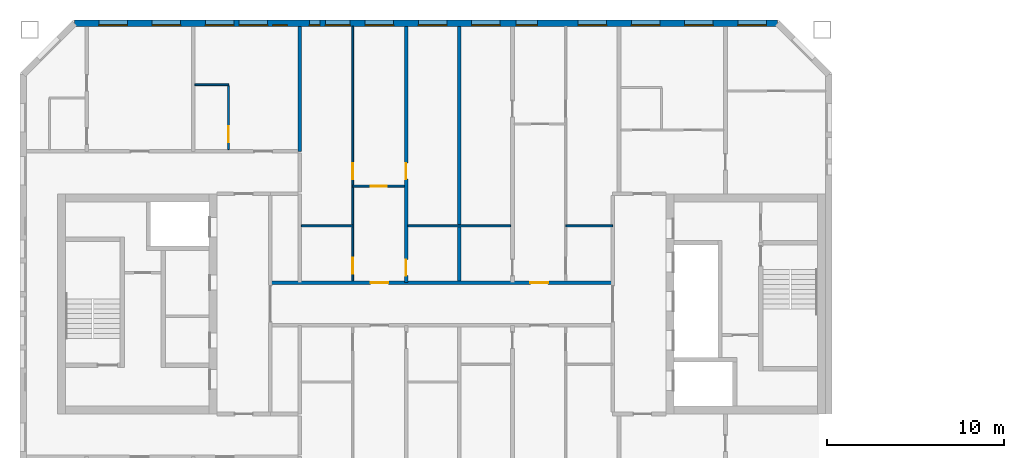
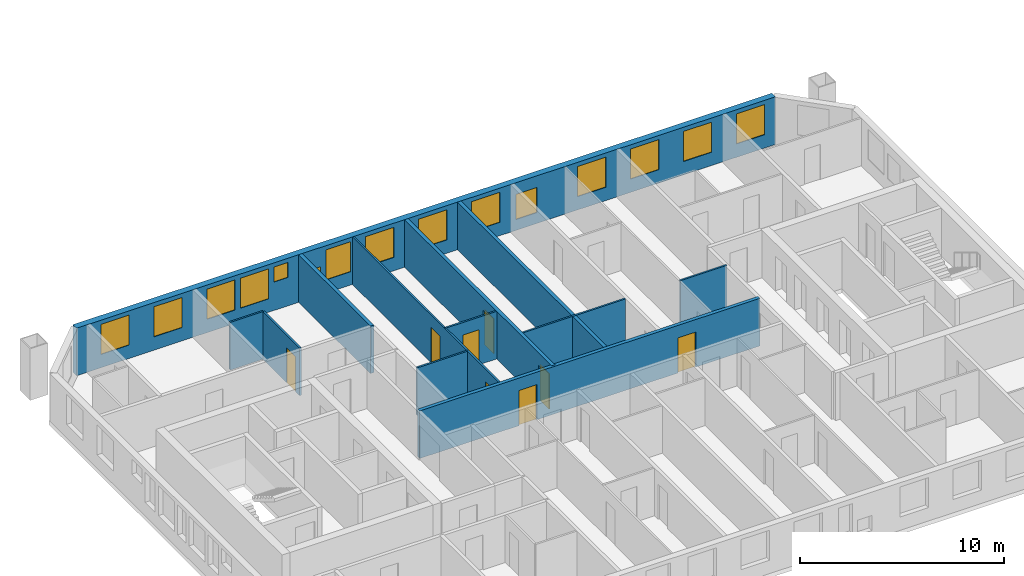
# One storey, part 5 of 15: 15 windows, 12 walls, 8 doors, 23 openings.
"""IFC4 building model written with IfcOpenShell, lengths in metres."""

import ifcopenshell
import ifcopenshell.guid

model = None  # the IFC model being written
_history = None  # IfcOwnerHistory: only IFC2X3 demands one
_inside = {}  # id of a spatial element -> (the spatial element, [elements in it])
_under = {}  # id of a project, library or spatial element -> (it, [spatial elements below it])
_declared = {}  # id of a project -> (the project, [libraries it declares])
_typed = {}  # id of a type object -> (the type object, [elements of that type])
_made_of = {}  # id of a material, layer set ... -> (it, [elements and type objects made of it])


def new_model(schema):
    """Start an empty IFC model of exactly this schema.

    Asked for "IFC4X3", IfcOpenShell would pick the latest addendum, in which some entities
    have other attributes; the version numbers below select the first issue.
    IFC2X3 requires an IfcOwnerHistory on every rooted entity: one is made here for all.
    """
    global model, _history
    if schema == "IFC4X3":
        model = ifcopenshell.file(schema_version=(4, 3, 0, 0))
    else:
        model = ifcopenshell.file(schema=schema)
    _inside.clear()
    _under.clear()
    _declared.clear()
    _typed.clear()
    _made_of.clear()
    _history = None
    if model.schema == "IFC2X3":
        org = make("IfcOrganization", Name="unknown")
        user = make(
            "IfcPersonAndOrganization",
            ThePerson=make("IfcPerson", FamilyName="unknown"),
            TheOrganization=org,
        )
        app = make(
            "IfcApplication",
            ApplicationDeveloper=org,
            Version="unknown",
            ApplicationFullName="unknown",
            ApplicationIdentifier="unknown",
        )
        _history = make(
            "IfcOwnerHistory",
            OwningUser=user,
            OwningApplication=app,
            ChangeAction="ADDED",
            CreationDate=0,
        )
    return model


def make(cls, **values):
    """One entity of the class cls with the attributes given. An attribute that is None is left unset."""
    return model.create_entity(
        cls, **{name: value for name, value in values.items() if value is not None}
    )


def rooted(cls, **values):
    """An entity with a GlobalId (a new one), such as an element, a storey or a relation."""
    return make(cls, GlobalId=ifcopenshell.guid.new(), OwnerHistory=_history, **values)


def si_unit(unit_type, name, prefix=None):
    """IfcSIUnit, for example si_unit("LENGTHUNIT", "METRE", prefix="MILLI")."""
    return make("IfcSIUnit", UnitType=unit_type, Prefix=prefix, Name=name)


def assignment(units):
    """IfcUnitAssignment: the units of a project."""
    return None if units is None else make("IfcUnitAssignment", Units=units)


def point(xyz):
    """IfcCartesianPoint."""
    return None if xyz is None else make("IfcCartesianPoint", Coordinates=xyz)


def direction(xyz):
    """IfcDirection."""
    return None if xyz is None else make("IfcDirection", DirectionRatios=xyz)


def frame(location, z_axis=None, x_axis=None):
    """IfcAxis2Placement3D, a coordinate frame: its origin and axes. An axis left out is left unset."""
    return make(
        "IfcAxis2Placement3D",
        Location=point(location),
        Axis=direction(z_axis),
        RefDirection=direction(x_axis),
    )


def frame_2d(location, x_axis=None):
    """IfcAxis2Placement2D, a coordinate frame in the plane: its origin and x axis."""
    return make(
        "IfcAxis2Placement2D", Location=point(location), RefDirection=direction(x_axis)
    )


def origin():
    """The frame at (0, 0, 0) with its axes left unset."""
    return frame((0.0, 0.0, 0.0))


def place(relative_to, where):
    """IfcLocalPlacement: puts the frame where relative to a parent placement (None: the world)."""
    return make(
        "IfcLocalPlacement", PlacementRelTo=relative_to, RelativePlacement=where
    )


def context(
    kind, dimensions, precision=None, world=None, true_north=None, identifier=None
):
    """IfcGeometricRepresentationContext, for example the 3D "Model" context."""
    return make(
        "IfcGeometricRepresentationContext",
        ContextIdentifier=identifier,
        ContextType=kind,
        CoordinateSpaceDimension=dimensions,
        Precision=precision,
        WorldCoordinateSystem=world,
        TrueNorth=true_north,
    )


def subcontext(parent, identifier, kind, view, scale=None):
    """IfcGeometricRepresentationSubContext, for example "Body" below "Model"."""
    return make(
        "IfcGeometricRepresentationSubContext",
        ContextIdentifier=identifier,
        ContextType=kind,
        ParentContext=parent,
        TargetScale=scale,
        TargetView=view,
    )


def project(units=None, contexts=None):
    """IfcProject with its units and contexts."""
    return rooted(
        "IfcProject",
        Name="project",
        RepresentationContexts=contexts,
        UnitsInContext=assignment(units),
    )


def spatial(cls, under=None, at=None, **own):
    """A site, building, storey or space (cls), placed at a placement, below another one or the project."""
    s = rooted(cls, ObjectPlacement=at, **own)
    if under is not None:
        _under.setdefault(under.id(), (under, []))[1].append(s)
    return s


def profile(cls, at=None, kind="AREA", **sizes):
    """A parametric profile (cls). Its sizes go by their IFC names, for example OverallWidth=200.0."""
    return make(cls, ProfileType=kind, Position=at, **sizes)


def rectangle(**sizes):
    """IfcRectangleProfileDef."""
    return profile("IfcRectangleProfileDef", **sizes)


def extrude(swept, where, along, depth):
    """IfcExtrudedAreaSolid: the profile swept, set in the frame where, extruded along a direction by depth."""
    return make(
        "IfcExtrudedAreaSolid",
        SweptArea=swept,
        Position=where,
        ExtrudedDirection=direction(along),
        Depth=depth,
    )


def shape(context_of_items, identifier, shape_type, items):
    """IfcShapeRepresentation: the items that make up one representation, for example the "Body"."""
    return make(
        "IfcShapeRepresentation",
        ContextOfItems=context_of_items,
        RepresentationIdentifier=identifier,
        RepresentationType=shape_type,
        Items=items,
    )


def material(Name=None, Category=None):
    """IfcMaterial."""
    return make("IfcMaterial", Name=Name, Category=Category)


def layer(
    of_material, thickness, ventilated=None, Name=None, Category=None, Priority=None
):
    """IfcMaterialLayer: one layer of a wall or slab, of a material (None: an air gap)."""
    return make(
        "IfcMaterialLayer",
        Material=of_material,
        LayerThickness=thickness,
        IsVentilated=ventilated,
        Name=Name,
        Category=Category,
        Priority=Priority,
    )


def layer_set(layers, Name=None):
    """IfcMaterialLayerSet."""
    return make("IfcMaterialLayerSet", MaterialLayers=layers, LayerSetName=Name)


def made_of(thing, what):
    """Note that an element or type object is made of a material, layer set ...; save() writes the relation."""
    if what is not None:
        _made_of.setdefault(what.id(), (what, []))[1].append(thing)
    return thing


def type_object(cls, material=None, **own):
    """A type object (cls), such as IfcWallType, which elements share."""
    return made_of(rooted(cls, **own), material)


def element(
    cls,
    number,
    at=None,
    inside=None,
    cuts=None,
    type_object=None,
    material=None,
    context=None,
    identifier="Body",
    shape_type=None,
    held_by="IfcProductDefinitionShape",
    body=None,
    shapes=None,
    **own,
):
    """One element of the class cls, such as IfcWall. Its Tag is "e" and its number.

    at: its placement. inside: the storey or other place that contains it. cuts: it is an
    opening in that element (IfcRelVoidsElement). A single representation is given by context,
    identifier, shape_type and body (its items); several are given by shapes. held_by: the class
    of the entity that holds the representations. save() writes the other relations.
    """
    e = rooted(cls, Tag="e%d" % number, ObjectPlacement=at, **own)
    if body is not None:
        shapes = [shape(context, identifier, shape_type, body)]
    if shapes is not None:
        e.Representation = make(held_by, Representations=shapes)
    if inside is not None:
        _inside.setdefault(inside.id(), (inside, []))[1].append(e)
    if cuts is not None:
        rooted(
            "IfcRelVoidsElement", RelatingBuildingElement=cuts, RelatedOpeningElement=e
        )
    if type_object is not None:
        _typed.setdefault(type_object.id(), (type_object, []))[1].append(e)
    return made_of(e, material)


def fill(opening, filler):
    """IfcRelFillsElement: the door or window that sits in an opening."""
    return rooted(
        "IfcRelFillsElement",
        RelatingOpeningElement=opening,
        RelatedBuildingElement=filler,
    )


def aggregate(whole, parts):
    """IfcRelAggregates: a whole, such as a stair, and the parts it consists of."""
    return rooted("IfcRelAggregates", RelatingObject=whole, RelatedObjects=parts)


def save(model, path):
    """Write the relations noted so far, then the file.

    IfcRelAggregates (storeys below a building ...), IfcRelContainedInSpatialStructure (elements
    in a storey), IfcRelDefinesByType, IfcRelAssociatesMaterial and IfcRelDeclares: one each for
    every whole, place, type object, material and project.
    """
    for whole, parts in _under.values():
        aggregate(whole, parts)
    for where, things in _inside.values():
        rooted(
            "IfcRelContainedInSpatialStructure",
            RelatedElements=things,
            RelatingStructure=where,
        )
    for kind, things in _typed.values():
        rooted("IfcRelDefinesByType", RelatedObjects=things, RelatingType=kind)
    for what, things in _made_of.values():
        rooted("IfcRelAssociatesMaterial", RelatedObjects=things, RelatingMaterial=what)
    for by, libraries in _declared.values():
        rooted("IfcRelDeclares", RelatingContext=by, RelatedDefinitions=libraries)
    model.write(path)


model = new_model("IFC4")

# Units and contexts
model_context = context("Model", 3, precision=1e-05, world=origin(), true_north=direction((0.0, 1.0)))
body_context = subcontext(model_context, "Body", "Model", "MODEL_VIEW")
ifc_project = project(units=[si_unit("LENGTHUNIT", "METRE"), si_unit("AREAUNIT", "SQUARE_METRE"), si_unit("VOLUMEUNIT", "CUBIC_METRE"), si_unit("PLANEANGLEUNIT", "RADIAN"), si_unit("MASSUNIT", "GRAM", prefix="KILO")], contexts=[model_context])

# Site, building, storey
site_placement = place(None, origin())
site = spatial("IfcSite", under=ifc_project, at=site_placement, CompositionType="ELEMENT")
building_placement = place(site_placement, origin())
building = spatial("IfcBuilding", under=site, at=building_placement, Name="Tuart Gate Housing", CompositionType="ELEMENT")
storey_placement = place(building_placement, frame((0.0, 0.0, 185.10009765625)))
storey = spatial("IfcBuildingStorey", under=building, at=storey_placement, Name="L52", CompositionType="ELEMENT", Elevation=185.10009765625)

# Wall, openings, windows
ifc_material_1 = material(Name="Brick", Category="masonry")
ifc_layer_1 = layer(ifc_material_1, 0.360107421875)
ifc_layer_set_1 = layer_set([ifc_layer_1], Name="Brick pier and spandrel wall 360")
wall_type_1 = type_object("IfcWallType", Name="Brick pier and spandrel wall 360", PredefinedType="STANDARD", material=ifc_layer_set_1)
wall_1_placement = place(storey_placement, frame((72.92529296875, 85.820068359375, 0.0), z_axis=(0.0, 0.0, 1.0), x_axis=(-1.0, 0.0, 0.0)))
wall_1 = element("IfcWall", 1, at=wall_1_placement, inside=storey, type_object=wall_type_1, Name="External wall A-N L52", PredefinedType="STANDARD", context=body_context, shape_type="SweptSolid", body=[
    extrude(rectangle(XDim=39.600830078125, YDim=0.360107421875, at=frame_2d((19.80029296875, 0.0))), origin(), (0.0, 0.0, 1.0), 2.849853515625),
])
opening_1_placement = place(wall_1_placement, frame((0.62548828125, 0.0, 0.800048828125)))
opening_1 = element("IfcOpeningElement", 2, at=opening_1_placement, cuts=wall_1, Name="Opening W1", PredefinedType="OPENING", context=body_context, shape_type="SweptSolid", body=[
    extrude(rectangle(XDim=1.60009765625, YDim=1.800048828125, at=frame_2d((0.800048828125, 0.89990234375))), frame((0.0, 0.18994140625, 0.0), z_axis=(0.0, -1.0, 0.0), x_axis=(1.0, 0.0, 0.0)), (0.0, 0.0, 1.0), 0.380126953125),
])
opening_2_placement = place(wall_1_placement, frame((3.62548828125, 0.0, 0.800048828125)))
opening_2 = element("IfcOpeningElement", 3, at=opening_2_placement, cuts=wall_1, Name="Opening W1", PredefinedType="OPENING", context=body_context, shape_type="SweptSolid", body=[
    extrude(rectangle(XDim=1.60009765625, YDim=1.800048828125, at=frame_2d((0.800048828125, 0.89990234375))), frame((0.0, 0.18994140625, 0.0), z_axis=(0.0, -1.0, 0.0), x_axis=(1.0, 0.0, 0.0)), (0.0, 0.0, 1.0), 0.380126953125),
])
opening_3_placement = place(wall_1_placement, frame((6.62548828125, 0.0, 0.800048828125)))
opening_3 = element("IfcOpeningElement", 4, at=opening_3_placement, cuts=wall_1, Name="Opening W1", PredefinedType="OPENING", context=body_context, shape_type="SweptSolid", body=[
    extrude(rectangle(XDim=1.60009765625, YDim=1.800048828125, at=frame_2d((0.800048828125, 0.89990234375))), frame((0.0, 0.18994140625, 0.0), z_axis=(0.0, -1.0, 0.0), x_axis=(1.0, 0.0, 0.0)), (0.0, 0.0, 1.0), 0.380126953125),
])
opening_4_placement = place(wall_1_placement, frame((9.62548828125, 0.0, 0.800048828125)))
opening_4 = element("IfcOpeningElement", 5, at=opening_4_placement, cuts=wall_1, Name="Opening W1", PredefinedType="OPENING", context=body_context, shape_type="SweptSolid", body=[
    extrude(rectangle(XDim=1.60009765625, YDim=1.800048828125, at=frame_2d((0.800048828125, 0.89990234375))), frame((0.0, 0.18994140625, 0.0), z_axis=(0.0, -1.0, 0.0), x_axis=(1.0, 0.0, 0.0)), (0.0, 0.0, 1.0), 0.380126953125),
])
opening_5_placement = place(wall_1_placement, frame((13.525390625, 0.0, 0.64990234375)))
opening_5 = element("IfcOpeningElement", 6, at=opening_5_placement, cuts=wall_1, Name="Opening W1H", PredefinedType="OPENING", context=body_context, shape_type="SweptSolid", body=[
    extrude(rectangle(XDim=1.199951171875, YDim=1.5, at=frame_2d((0.60009765625, 0.75))), frame((0.0, 0.18994140625, 0.0), z_axis=(0.0, -1.0, 0.0), x_axis=(1.0, 0.0, 0.0)), (0.0, 0.0, 1.0), 0.380126953125),
])
opening_6_placement = place(wall_1_placement, frame((15.62548828125, 0.0, 0.800048828125)))
opening_6 = element("IfcOpeningElement", 7, at=opening_6_placement, cuts=wall_1, Name="Opening W1", PredefinedType="OPENING", context=body_context, shape_type="SweptSolid", body=[
    extrude(rectangle(XDim=1.60009765625, YDim=1.800048828125, at=frame_2d((0.800048828125, 0.89990234375))), frame((0.0, 0.18994140625, 0.0), z_axis=(0.0, -1.0, 0.0), x_axis=(1.0, 0.0, 0.0)), (0.0, 0.0, 1.0), 0.380126953125),
])
opening_7_placement = place(wall_1_placement, frame((18.62548828125, 0.0, 0.800048828125)))
opening_7 = element("IfcOpeningElement", 8, at=opening_7_placement, cuts=wall_1, Name="Opening W1", PredefinedType="OPENING", context=body_context, shape_type="SweptSolid", body=[
    extrude(rectangle(XDim=1.60009765625, YDim=1.800048828125, at=frame_2d((0.800048828125, 0.89990234375))), frame((0.0, 0.18994140625, 0.0), z_axis=(0.0, -1.0, 0.0), x_axis=(1.0, 0.0, 0.0)), (0.0, 0.0, 1.0), 0.380126953125),
])
opening_8_placement = place(wall_1_placement, frame((21.62548828125, 0.0, 0.800048828125)))
opening_8 = element("IfcOpeningElement", 9, at=opening_8_placement, cuts=wall_1, Name="Opening W1", PredefinedType="OPENING", context=body_context, shape_type="SweptSolid", body=[
    extrude(rectangle(XDim=1.60009765625, YDim=1.800048828125, at=frame_2d((0.800048828125, 0.89990234375))), frame((0.0, 0.18994140625, 0.0), z_axis=(0.0, -1.0, 0.0), x_axis=(1.0, 0.0, 0.0)), (0.0, 0.0, 1.0), 0.380126953125),
])
opening_9_placement = place(wall_1_placement, frame((24.075439453125, 0.0, 0.800048828125)))
opening_9 = element("IfcOpeningElement", 10, at=opening_9_placement, cuts=wall_1, Name="Opening W1A", PredefinedType="OPENING", context=body_context, shape_type="SweptSolid", body=[
    extrude(rectangle(XDim=1.39990234375, YDim=1.800048828125, at=frame_2d((0.699951171875, 0.89990234375))), frame((0.0, 0.18994140625, 0.0), z_axis=(0.0, -1.0, 0.0), x_axis=(1.0, 0.0, 0.0)), (0.0, 0.0, 1.0), 0.380126953125),
])
opening_10_placement = place(wall_1_placement, frame((27.62548828125, 0.0, 1.699951171875)))
opening_10 = element("IfcOpeningElement", 11, at=opening_10_placement, cuts=wall_1, Name="Opening W1V", PredefinedType="OPENING", context=body_context, shape_type="SweptSolid", body=[
    extrude(rectangle(XDim=0.800048828125, YDim=0.89990234375, at=frame_2d((0.39990234375, 0.449951171875))), frame((0.0, 0.18994140625, 0.0), z_axis=(0.0, -1.0, 0.0), x_axis=(1.0, 0.0, 0.0)), (0.0, 0.0, 1.0), 0.380126953125),
])
opening_11_placement = place(wall_1_placement, frame((30.62548828125, 0.0, 0.800048828125)))
opening_11 = element("IfcOpeningElement", 12, at=opening_11_placement, cuts=wall_1, Name="Opening W1", PredefinedType="OPENING", context=body_context, shape_type="SweptSolid", body=[
    extrude(rectangle(XDim=1.60009765625, YDim=1.800048828125, at=frame_2d((0.800048828125, 0.89990234375))), frame((0.0, 0.18994140625, 0.0), z_axis=(0.0, -1.0, 0.0), x_axis=(1.0, 0.0, 0.0)), (0.0, 0.0, 1.0), 0.380126953125),
])
opening_12_placement = place(wall_1_placement, frame((33.62548828125, 0.0, 0.800048828125)))
opening_12 = element("IfcOpeningElement", 13, at=opening_12_placement, cuts=wall_1, Name="Opening W1", PredefinedType="OPENING", context=body_context, shape_type="SweptSolid", body=[
    extrude(rectangle(XDim=1.60009765625, YDim=1.800048828125, at=frame_2d((0.800048828125, 0.89990234375))), frame((0.0, 0.18994140625, 0.0), z_axis=(0.0, -1.0, 0.0), x_axis=(1.0, 0.0, 0.0)), (0.0, 0.0, 1.0), 0.380126953125),
])
opening_13_placement = place(wall_1_placement, frame((36.62548828125, 0.0, 0.800048828125)))
opening_13 = element("IfcOpeningElement", 14, at=opening_13_placement, cuts=wall_1, Name="Opening W1", PredefinedType="OPENING", context=body_context, shape_type="SweptSolid", body=[
    extrude(rectangle(XDim=1.60009765625, YDim=1.800048828125, at=frame_2d((0.800048828125, 0.89990234375))), frame((0.0, 0.18994140625, 0.0), z_axis=(0.0, -1.0, 0.0), x_axis=(1.0, 0.0, 0.0)), (0.0, 0.0, 1.0), 0.380126953125),
])
opening_14_placement = place(wall_1_placement, frame((25.775390625, 0.0, 0.800048828125)))
opening_14 = element("IfcOpeningElement", 15, at=opening_14_placement, cuts=wall_1, Name="Opening W1W", PredefinedType="OPENING", context=body_context, shape_type="SweptSolid", body=[
    extrude(rectangle(XDim=0.60009765625, YDim=0.89990234375, at=frame_2d((0.300048828125, 0.449951171875))), frame((0.0, 0.18994140625, 0.0), z_axis=(0.0, -1.0, 0.0), x_axis=(1.0, 0.0, 0.0)), (0.0, 0.0, 1.0), 0.380126953125),
])
opening_15_placement = place(wall_1_placement, frame((28.725341796875, 0.0, 0.800048828125)))
opening_15 = element("IfcOpeningElement", 16, at=opening_15_placement, cuts=wall_1, Name="Opening W1", PredefinedType="OPENING", context=body_context, shape_type="SweptSolid", body=[
    extrude(rectangle(XDim=1.60009765625, YDim=1.800048828125, at=frame_2d((0.800048828125, 0.89990234375))), frame((0.0, 0.18994140625, 0.0), z_axis=(0.0, -1.0, 0.0), x_axis=(1.0, 0.0, 0.0)), (0.0, 0.0, 1.0), 0.380126953125),
])
ifc_material_2 = material(Name="Aluminium frame with clear glass", Category="aluminium")
window_type_1 = type_object("IfcWindowType", Name="Punched window 1200 x 1500", PartitioningType="SINGLE_PANEL", PredefinedType="WINDOW", material=ifc_material_2)
window_1_placement = place(opening_5_placement, origin())
window_1 = element("IfcWindow", 17, at=window_1_placement, inside=storey, type_object=window_type_1, Name="Window W1H", OverallHeight=1.5, OverallWidth=1.199951171875, PartitioningType="SINGLE_PANEL", PredefinedType="WINDOW", context=body_context, shape_type="SweptSolid", body=[
    extrude(rectangle(XDim=1.199951171875, YDim=1.5, at=frame_2d((0.60009765625, 0.75))), frame((0.0, 0.150146484375, 0.0), z_axis=(0.0, -1.0, 0.0), x_axis=(1.0, 0.0, 0.0)), (0.0, 0.0, 1.0), 0.06005859375),
])
fill(opening_5, window_1)
ifc_material_3 = material(Name="Aluminium frame with clear glass", Category="aluminium")
window_type_2 = type_object("IfcWindowType", Name="Punched window 1400 x 1800", PartitioningType="SINGLE_PANEL", PredefinedType="WINDOW", material=ifc_material_3)
window_2_placement = place(opening_9_placement, origin())
window_2 = element("IfcWindow", 18, at=window_2_placement, inside=storey, type_object=window_type_2, Name="Window W1A", OverallHeight=1.800048828125, OverallWidth=1.39990234375, PartitioningType="SINGLE_PANEL", PredefinedType="WINDOW", context=body_context, shape_type="SweptSolid", body=[
    extrude(rectangle(XDim=1.39990234375, YDim=1.800048828125, at=frame_2d((0.699951171875, 0.89990234375))), frame((0.0, 0.150146484375, 0.0), z_axis=(0.0, -1.0, 0.0), x_axis=(1.0, 0.0, 0.0)), (0.0, 0.0, 1.0), 0.06005859375),
])
fill(opening_9, window_2)
ifc_material_4 = material(Name="Aluminium frame with clear glass", Category="aluminium")
window_type_3 = type_object("IfcWindowType", Name="Punched window 1600 x 1800", PartitioningType="SINGLE_PANEL", PredefinedType="WINDOW", material=ifc_material_4)
window_3_placement = place(opening_1_placement, origin())
window_3 = element("IfcWindow", 19, at=window_3_placement, inside=storey, type_object=window_type_3, Name="Window W1", OverallHeight=1.800048828125, OverallWidth=1.60009765625, PartitioningType="SINGLE_PANEL", PredefinedType="WINDOW", context=body_context, shape_type="SweptSolid", body=[
    extrude(rectangle(XDim=1.60009765625, YDim=1.800048828125, at=frame_2d((0.800048828125, 0.89990234375))), frame((0.0, 0.150146484375, 0.0), z_axis=(0.0, -1.0, 0.0), x_axis=(1.0, 0.0, 0.0)), (0.0, 0.0, 1.0), 0.06005859375),
])
fill(opening_1, window_3)
window_4_placement = place(opening_2_placement, origin())
window_4 = element("IfcWindow", 20, at=window_4_placement, inside=storey, type_object=window_type_3, Name="Window W1", OverallHeight=1.800048828125, OverallWidth=1.60009765625, PartitioningType="SINGLE_PANEL", PredefinedType="WINDOW", context=body_context, shape_type="SweptSolid", body=[
    extrude(rectangle(XDim=1.60009765625, YDim=1.800048828125, at=frame_2d((0.800048828125, 0.89990234375))), frame((0.0, 0.150146484375, 0.0), z_axis=(0.0, -1.0, 0.0), x_axis=(1.0, 0.0, 0.0)), (0.0, 0.0, 1.0), 0.06005859375),
])
fill(opening_2, window_4)
window_5_placement = place(opening_3_placement, origin())
window_5 = element("IfcWindow", 21, at=window_5_placement, inside=storey, type_object=window_type_3, Name="Window W1", OverallHeight=1.800048828125, OverallWidth=1.60009765625, PartitioningType="SINGLE_PANEL", PredefinedType="WINDOW", context=body_context, shape_type="SweptSolid", body=[
    extrude(rectangle(XDim=1.60009765625, YDim=1.800048828125, at=frame_2d((0.800048828125, 0.89990234375))), frame((0.0, 0.150146484375, 0.0), z_axis=(0.0, -1.0, 0.0), x_axis=(1.0, 0.0, 0.0)), (0.0, 0.0, 1.0), 0.06005859375),
])
fill(opening_3, window_5)
window_6_placement = place(opening_4_placement, origin())
window_6 = element("IfcWindow", 22, at=window_6_placement, inside=storey, type_object=window_type_3, Name="Window W1", OverallHeight=1.800048828125, OverallWidth=1.60009765625, PartitioningType="SINGLE_PANEL", PredefinedType="WINDOW", context=body_context, shape_type="SweptSolid", body=[
    extrude(rectangle(XDim=1.60009765625, YDim=1.800048828125, at=frame_2d((0.800048828125, 0.89990234375))), frame((0.0, 0.150146484375, 0.0), z_axis=(0.0, -1.0, 0.0), x_axis=(1.0, 0.0, 0.0)), (0.0, 0.0, 1.0), 0.06005859375),
])
fill(opening_4, window_6)
window_7_placement = place(opening_6_placement, origin())
window_7 = element("IfcWindow", 23, at=window_7_placement, inside=storey, type_object=window_type_3, Name="Window W1", OverallHeight=1.800048828125, OverallWidth=1.60009765625, PartitioningType="SINGLE_PANEL", PredefinedType="WINDOW", context=body_context, shape_type="SweptSolid", body=[
    extrude(rectangle(XDim=1.60009765625, YDim=1.800048828125, at=frame_2d((0.800048828125, 0.89990234375))), frame((0.0, 0.150146484375, 0.0), z_axis=(0.0, -1.0, 0.0), x_axis=(1.0, 0.0, 0.0)), (0.0, 0.0, 1.0), 0.06005859375),
])
fill(opening_6, window_7)
window_8_placement = place(opening_7_placement, origin())
window_8 = element("IfcWindow", 24, at=window_8_placement, inside=storey, type_object=window_type_3, Name="Window W1", OverallHeight=1.800048828125, OverallWidth=1.60009765625, PartitioningType="SINGLE_PANEL", PredefinedType="WINDOW", context=body_context, shape_type="SweptSolid", body=[
    extrude(rectangle(XDim=1.60009765625, YDim=1.800048828125, at=frame_2d((0.800048828125, 0.89990234375))), frame((0.0, 0.150146484375, 0.0), z_axis=(0.0, -1.0, 0.0), x_axis=(1.0, 0.0, 0.0)), (0.0, 0.0, 1.0), 0.06005859375),
])
fill(opening_7, window_8)
window_9_placement = place(opening_8_placement, origin())
window_9 = element("IfcWindow", 25, at=window_9_placement, inside=storey, type_object=window_type_3, Name="Window W1", OverallHeight=1.800048828125, OverallWidth=1.60009765625, PartitioningType="SINGLE_PANEL", PredefinedType="WINDOW", context=body_context, shape_type="SweptSolid", body=[
    extrude(rectangle(XDim=1.60009765625, YDim=1.800048828125, at=frame_2d((0.800048828125, 0.89990234375))), frame((0.0, 0.150146484375, 0.0), z_axis=(0.0, -1.0, 0.0), x_axis=(1.0, 0.0, 0.0)), (0.0, 0.0, 1.0), 0.06005859375),
])
fill(opening_8, window_9)
window_10_placement = place(opening_11_placement, origin())
window_10 = element("IfcWindow", 26, at=window_10_placement, inside=storey, type_object=window_type_3, Name="Window W1", OverallHeight=1.800048828125, OverallWidth=1.60009765625, PartitioningType="SINGLE_PANEL", PredefinedType="WINDOW", context=body_context, shape_type="SweptSolid", body=[
    extrude(rectangle(XDim=1.60009765625, YDim=1.800048828125, at=frame_2d((0.800048828125, 0.89990234375))), frame((0.0, 0.150146484375, 0.0), z_axis=(0.0, -1.0, 0.0), x_axis=(1.0, 0.0, 0.0)), (0.0, 0.0, 1.0), 0.06005859375),
])
fill(opening_11, window_10)
window_11_placement = place(opening_12_placement, origin())
window_11 = element("IfcWindow", 27, at=window_11_placement, inside=storey, type_object=window_type_3, Name="Window W1", OverallHeight=1.800048828125, OverallWidth=1.60009765625, PartitioningType="SINGLE_PANEL", PredefinedType="WINDOW", context=body_context, shape_type="SweptSolid", body=[
    extrude(rectangle(XDim=1.60009765625, YDim=1.800048828125, at=frame_2d((0.800048828125, 0.89990234375))), frame((0.0, 0.150146484375, 0.0), z_axis=(0.0, -1.0, 0.0), x_axis=(1.0, 0.0, 0.0)), (0.0, 0.0, 1.0), 0.06005859375),
])
fill(opening_12, window_11)
window_12_placement = place(opening_13_placement, origin())
window_12 = element("IfcWindow", 28, at=window_12_placement, inside=storey, type_object=window_type_3, Name="Window W1", OverallHeight=1.800048828125, OverallWidth=1.60009765625, PartitioningType="SINGLE_PANEL", PredefinedType="WINDOW", context=body_context, shape_type="SweptSolid", body=[
    extrude(rectangle(XDim=1.60009765625, YDim=1.800048828125, at=frame_2d((0.800048828125, 0.89990234375))), frame((0.0, 0.150146484375, 0.0), z_axis=(0.0, -1.0, 0.0), x_axis=(1.0, 0.0, 0.0)), (0.0, 0.0, 1.0), 0.06005859375),
])
fill(opening_13, window_12)
window_13_placement = place(opening_15_placement, origin())
window_13 = element("IfcWindow", 29, at=window_13_placement, inside=storey, type_object=window_type_3, Name="Window W1", OverallHeight=1.800048828125, OverallWidth=1.60009765625, PartitioningType="SINGLE_PANEL", PredefinedType="WINDOW", context=body_context, shape_type="SweptSolid", body=[
    extrude(rectangle(XDim=1.60009765625, YDim=1.800048828125, at=frame_2d((0.800048828125, 0.89990234375))), frame((0.0, 0.150146484375, 0.0), z_axis=(0.0, -1.0, 0.0), x_axis=(1.0, 0.0, 0.0)), (0.0, 0.0, 1.0), 0.06005859375),
])
fill(opening_15, window_13)
ifc_material_5 = material(Name="Aluminium frame with clear glass", Category="aluminium")
window_type_4 = type_object("IfcWindowType", Name="Punched window 600 x 900", PartitioningType="SINGLE_PANEL", PredefinedType="WINDOW", material=ifc_material_5)
window_14_placement = place(opening_14_placement, origin())
window_14 = element("IfcWindow", 30, at=window_14_placement, inside=storey, type_object=window_type_4, Name="Window W1W", OverallHeight=0.89990234375, OverallWidth=0.60009765625, PartitioningType="SINGLE_PANEL", PredefinedType="WINDOW", context=body_context, shape_type="SweptSolid", body=[
    extrude(rectangle(XDim=0.60009765625, YDim=0.89990234375, at=frame_2d((0.300048828125, 0.449951171875))), frame((0.0, 0.150146484375, 0.0), z_axis=(0.0, -1.0, 0.0), x_axis=(1.0, 0.0, 0.0)), (0.0, 0.0, 1.0), 0.06005859375),
])
fill(opening_14, window_14)
ifc_material_6 = material(Name="Aluminium frame with clear glass", Category="aluminium")
window_type_5 = type_object("IfcWindowType", Name="Punched window 800 x 900", PartitioningType="SINGLE_PANEL", PredefinedType="WINDOW", material=ifc_material_6)
window_15_placement = place(opening_10_placement, origin())
window_15 = element("IfcWindow", 31, at=window_15_placement, inside=storey, type_object=window_type_5, Name="Window W1V", OverallHeight=0.89990234375, OverallWidth=0.800048828125, PartitioningType="SINGLE_PANEL", PredefinedType="WINDOW", context=body_context, shape_type="SweptSolid", body=[
    extrude(rectangle(XDim=0.800048828125, YDim=0.89990234375, at=frame_2d((0.39990234375, 0.449951171875))), frame((0.0, 0.150146484375, 0.0), z_axis=(0.0, -1.0, 0.0), x_axis=(1.0, 0.0, 0.0)), (0.0, 0.0, 1.0), 0.06005859375),
])
fill(opening_10, window_15)

# Wall, openings, doors
ifc_material_7 = material(Name="Concrete masonry 15 MPa", Category="masonry")
ifc_layer_2 = layer(ifc_material_7, 0.199951171875)
ifc_layer_set_2 = layer_set([ifc_layer_2], Name="Corridor wall masonry 200")
wall_type_2 = type_object("IfcWallType", Name="Corridor wall masonry 200", PredefinedType="PARTITIONING", material=ifc_layer_set_2)
wall_2_placement = place(storey_placement, frame((44.360107421875, 71.199951171875, 0.0), z_axis=(0.0, 0.0, 1.0), x_axis=(1.0, 0.0, 0.0)))
wall_2 = element("IfcWall", 32, at=wall_2_placement, inside=storey, type_object=wall_type_2, Name="Corridor wall masonry 200", PredefinedType="PARTITIONING", context=body_context, shape_type="SweptSolid", body=[
    extrude(rectangle(XDim=19.27978515625, YDim=0.199951171875, at=frame_2d((9.639892578125, 0.0))), origin(), (0.0, 0.0, 1.0), 2.849853515625),
])
opening_16_placement = place(wall_2_placement, frame((14.639892578125, 0.0, 0.0)))
opening_16 = element("IfcOpeningElement", 33, at=opening_16_placement, cuts=wall_2, Name="Opening D1863", PredefinedType="OPENING", context=body_context, shape_type="SweptSolid", body=[
    extrude(rectangle(XDim=1.0, YDim=2.10009765625, at=frame_2d((0.5, 1.050048828125))), frame((0.0, 0.10986328125, 0.0), z_axis=(0.0, -1.0, 0.0), x_axis=(1.0, 0.0, 0.0)), (0.0, 0.0, 1.0), 0.219970703125),
])
opening_17_placement = place(wall_2_placement, frame((5.639892578125, 0.0, 0.0)))
opening_17 = element("IfcOpeningElement", 34, at=opening_17_placement, cuts=wall_2, Name="Opening D1864", PredefinedType="OPENING", context=body_context, shape_type="SweptSolid", body=[
    extrude(rectangle(XDim=1.0, YDim=2.10009765625, at=frame_2d((0.5, 1.050048828125))), frame((0.0, 0.10986328125, 0.0), z_axis=(0.0, -1.0, 0.0), x_axis=(1.0, 0.0, 0.0)), (0.0, 0.0, 1.0), 0.219970703125),
])
ifc_material_8 = material(Name="Timber door leaf in steel frame", Category="steel")
door_type_1 = type_object("IfcDoorType", Name="Flat entrance door 1000", OperationType="SINGLE_SWING_LEFT", PredefinedType="DOOR", material=ifc_material_8)
door_1_placement = place(opening_16_placement, origin())
door_1 = element("IfcDoor", 35, at=door_1_placement, inside=storey, type_object=door_type_1, Name="Flat entrance door", OperationType="SINGLE_SWING_LEFT", OverallHeight=2.10009765625, OverallWidth=1.0, PredefinedType="DOOR", context=body_context, shape_type="SweptSolid", body=[
    extrude(rectangle(XDim=1.0, YDim=2.10009765625, at=frame_2d((0.5, 1.050048828125))), frame((0.0, 0.02490234375, 0.0), z_axis=(0.0, -1.0, 0.0), x_axis=(1.0, 0.0, 0.0)), (0.0, 0.0, 1.0), 0.050048828125),
])
fill(opening_16, door_1)
door_2_placement = place(opening_17_placement, origin())
door_2 = element("IfcDoor", 36, at=door_2_placement, inside=storey, type_object=door_type_1, Name="Flat entrance door", OperationType="SINGLE_SWING_LEFT", OverallHeight=2.10009765625, OverallWidth=1.0, PredefinedType="DOOR", context=body_context, shape_type="SweptSolid", body=[
    extrude(rectangle(XDim=1.0, YDim=2.10009765625, at=frame_2d((0.5, 1.050048828125))), frame((0.0, 0.02490234375, 0.0), z_axis=(0.0, -1.0, 0.0), x_axis=(1.0, 0.0, 0.0)), (0.0, 0.0, 1.0), 0.050048828125),
])
fill(opening_17, door_2)

# Walls
ifc_material_9 = material(Name="Gypsum board on steel studs", Category="steel")
ifc_layer_3 = layer(ifc_material_9, 0.10009765625)
ifc_layer_set_3 = layer_set([ifc_layer_3], Name="Partition 100")
wall_type_3 = type_object("IfcWallType", Name="Partition 100", PredefinedType="PARTITIONING", material=ifc_layer_set_3)
wall_3_placement = place(storey_placement, frame((46.10009765625, 74.39990234375, 0.0), z_axis=(0.0, 0.0, 1.0), x_axis=(1.0, 0.0, 0.0)))
element("IfcWall", 37, at=wall_3_placement, inside=storey, type_object=wall_type_3, Name="Partition 100", PredefinedType="PARTITIONING", context=body_context, shape_type="SweptSolid", body=[
    extrude(rectangle(XDim=2.89990234375, YDim=0.10009765625, at=frame_2d((1.449951171875, 0.0))), origin(), (0.0, 0.0, 1.0), 2.849853515625),
])
wall_4_placement = place(storey_placement, frame((52.10009765625, 74.39990234375, 0.0), z_axis=(0.0, 0.0, 1.0), x_axis=(1.0, 0.0, 0.0)))
element("IfcWall", 38, at=wall_4_placement, inside=storey, type_object=wall_type_3, Name="Partition 100", PredefinedType="PARTITIONING", context=body_context, shape_type="SweptSolid", body=[
    extrude(rectangle(XDim=5.7998046875, YDim=0.10009765625, at=frame_2d((2.89990234375, 0.0))), origin(), (0.0, 0.0, 1.0), 2.849853515625),
])
wall_5_placement = place(storey_placement, frame((61.0, 74.39990234375, 0.0), z_axis=(0.0, 0.0, 1.0), x_axis=(1.0, 0.0, 0.0)))
element("IfcWall", 39, at=wall_5_placement, inside=storey, type_object=wall_type_3, Name="Partition 100", PredefinedType="PARTITIONING", context=body_context, shape_type="SweptSolid", body=[
    extrude(rectangle(XDim=2.639892578125, YDim=0.10009765625, at=frame_2d((1.31982421875, 0.0))), origin(), (0.0, 0.0, 1.0), 2.849853515625),
])

# Wall, opening, door
wall_6_placement = place(storey_placement, frame((49.0, 76.639892578125, 0.0), z_axis=(0.0, 0.0, 1.0), x_axis=(1.0, 0.0, 0.0)))
wall_6 = element("IfcWall", 40, at=wall_6_placement, inside=storey, type_object=wall_type_3, Name="Partition 100", PredefinedType="PARTITIONING", context=body_context, shape_type="SweptSolid", body=[
    extrude(rectangle(XDim=2.89990234375, YDim=0.10009765625, at=frame_2d((1.449951171875, 0.0))), origin(), (0.0, 0.0, 1.0), 2.849853515625),
])
opening_18_placement = place(wall_6_placement, frame((1.0, 0.0, 0.0)))
opening_18 = element("IfcOpeningElement", 41, at=opening_18_placement, cuts=wall_6, Name="Opening D1858", PredefinedType="OPENING", context=body_context, shape_type="SweptSolid", body=[
    extrude(rectangle(XDim=0.89990234375, YDim=2.10009765625, at=frame_2d((0.449951171875, 1.050048828125))), frame((0.0, 0.06005859375, 0.0), z_axis=(0.0, -1.0, 0.0), x_axis=(1.0, 0.0, 0.0)), (0.0, 0.0, 1.0), 0.1201171875),
])
ifc_material_10 = material(Name="Timber door leaf in steel frame", Category="steel")
door_type_2 = type_object("IfcDoorType", Name="Internal door 900 RH", OperationType="SINGLE_SWING_RIGHT", PredefinedType="DOOR", material=ifc_material_10)
door_3_placement = place(opening_18_placement, frame((0.89990234375, 0.0, 0.0), z_axis=(0.0, 0.0, 1.0), x_axis=(-1.0, 0.0, 0.0)))
door_3 = element("IfcDoor", 42, at=door_3_placement, inside=storey, type_object=door_type_2, Name="Internal door", OperationType="SINGLE_SWING_RIGHT", OverallHeight=2.10009765625, OverallWidth=0.89990234375, PredefinedType="DOOR", context=body_context, shape_type="SweptSolid", body=[
    extrude(rectangle(XDim=0.89990234375, YDim=2.10009765625, at=frame_2d((0.449951171875, 1.050048828125))), frame((0.0, 0.025146484375, 0.0), z_axis=(0.0, -1.0, 0.0), x_axis=(1.0, 0.0, 0.0)), (0.0, 0.0, 1.0), 0.050048828125),
])
fill(opening_18, door_3)

# Wall
wall_7_placement = place(storey_placement, frame((40.10009765625, 82.35009765625, 0.0), z_axis=(0.0, 0.0, 1.0), x_axis=(1.0, 0.0, 0.0)))
element("IfcWall", 43, at=wall_7_placement, inside=storey, type_object=wall_type_3, Name="Partition 100", PredefinedType="PARTITIONING", context=body_context, shape_type="SweptSolid", body=[
    extrude(rectangle(XDim=1.89990234375, YDim=0.10009765625, at=frame_2d((0.949951171875, 0.0))), origin(), (0.0, 0.0, 1.0), 2.849853515625),
])

# Wall, opening, door
wall_8_placement = place(storey_placement, frame((42.0, 78.699951171875, 0.0), z_axis=(0.0, 0.0, 1.0), x_axis=(0.0, 1.0, 0.0)))
wall_8 = element("IfcWall", 44, at=wall_8_placement, inside=storey, type_object=wall_type_3, Name="Partition 100", PredefinedType="PARTITIONING", context=body_context, shape_type="SweptSolid", body=[
    extrude(rectangle(XDim=3.60009765625, YDim=0.10009765625, at=frame_2d((1.800048828125, 0.0))), origin(), (0.0, 0.0, 1.0), 2.849853515625),
])
opening_19_placement = place(wall_8_placement, frame((0.39990234375, 0.0, 0.0)))
opening_19 = element("IfcOpeningElement", 45, at=opening_19_placement, cuts=wall_8, Name="Opening D1844", PredefinedType="OPENING", context=body_context, shape_type="SweptSolid", body=[
    extrude(rectangle(XDim=0.89990234375, YDim=2.10009765625, at=frame_2d((0.449951171875, 1.050048828125))), frame((0.0, 0.06005859375, 0.0), z_axis=(0.0, -1.0, 0.0), x_axis=(1.0, 0.0, 0.0)), (0.0, 0.0, 1.0), 0.1201171875),
])
ifc_material_11 = material(Name="Timber door leaf in steel frame", Category="steel")
door_type_3 = type_object("IfcDoorType", Name="Bathroom door 900", OperationType="SINGLE_SWING_LEFT", PredefinedType="DOOR", material=ifc_material_11)
door_4_placement = place(opening_19_placement, origin())
door_4 = element("IfcDoor", 46, at=door_4_placement, inside=storey, type_object=door_type_3, Name="Bathroom door", OperationType="SINGLE_SWING_LEFT", OverallHeight=2.10009765625, OverallWidth=0.89990234375, PredefinedType="DOOR", context=body_context, shape_type="SweptSolid", body=[
    extrude(rectangle(XDim=0.89990234375, YDim=2.10009765625, at=frame_2d((0.449951171875, 1.050048828125))), frame((0.0, 0.02490234375, 0.0), z_axis=(0.0, -1.0, 0.0), x_axis=(1.0, 0.0, 0.0)), (0.0, 0.0, 1.0), 0.050048828125),
])
fill(opening_19, door_4)

# Wall, openings, doors
wall_9_placement = place(storey_placement, frame((49.0, 71.300048828125, 0.0), z_axis=(0.0, 0.0, 1.0), x_axis=(0.0, 1.0, 0.0)))
wall_9 = element("IfcWall", 47, at=wall_9_placement, inside=storey, type_object=wall_type_3, Name="Partition 100", PredefinedType="PARTITIONING", context=body_context, shape_type="SweptSolid", body=[
    extrude(rectangle(XDim=14.33984375, YDim=0.10009765625, at=frame_2d((7.169921875, 0.0))), origin(), (0.0, 0.0, 1.0), 2.849853515625),
])
opening_20_placement = place(wall_9_placement, frame((5.739990234375, 0.0, 0.0)))
opening_20 = element("IfcOpeningElement", 48, at=opening_20_placement, cuts=wall_9, Name="Opening D1851", PredefinedType="OPENING", context=body_context, shape_type="SweptSolid", body=[
    extrude(rectangle(XDim=0.89990234375, YDim=2.10009765625, at=frame_2d((0.449951171875, 1.050048828125))), frame((0.0, 0.06005859375, 0.0), z_axis=(0.0, -1.0, 0.0), x_axis=(1.0, 0.0, 0.0)), (0.0, 0.0, 1.0), 0.1201171875),
])
opening_21_placement = place(wall_9_placement, frame((0.39990234375, 0.0, 0.0)))
opening_21 = element("IfcOpeningElement", 49, at=opening_21_placement, cuts=wall_9, Name="Opening D1850", PredefinedType="OPENING", context=body_context, shape_type="SweptSolid", body=[
    extrude(rectangle(XDim=0.89990234375, YDim=2.10009765625, at=frame_2d((0.449951171875, 1.050048828125))), frame((0.0, 0.06005859375, 0.0), z_axis=(0.0, -1.0, 0.0), x_axis=(1.0, 0.0, 0.0)), (0.0, 0.0, 1.0), 0.1201171875),
])
door_5_placement = place(opening_21_placement, origin())
door_5 = element("IfcDoor", 50, at=door_5_placement, inside=storey, type_object=door_type_3, Name="Bathroom door", OperationType="SINGLE_SWING_LEFT", OverallHeight=2.10009765625, OverallWidth=0.89990234375, PredefinedType="DOOR", context=body_context, shape_type="SweptSolid", body=[
    extrude(rectangle(XDim=0.89990234375, YDim=2.10009765625, at=frame_2d((0.449951171875, 1.050048828125))), frame((0.0, 0.02490234375, 0.0), z_axis=(0.0, -1.0, 0.0), x_axis=(1.0, 0.0, 0.0)), (0.0, 0.0, 1.0), 0.050048828125),
])
fill(opening_21, door_5)
ifc_material_12 = material(Name="Timber door leaf in steel frame", Category="steel")
door_type_4 = type_object("IfcDoorType", Name="Internal door 900", OperationType="SINGLE_SWING_LEFT", PredefinedType="DOOR", material=ifc_material_12)
door_6_placement = place(opening_20_placement, origin())
door_6 = element("IfcDoor", 51, at=door_6_placement, inside=storey, type_object=door_type_4, Name="Internal door", OperationType="SINGLE_SWING_LEFT", OverallHeight=2.10009765625, OverallWidth=0.89990234375, PredefinedType="DOOR", context=body_context, shape_type="SweptSolid", body=[
    extrude(rectangle(XDim=0.89990234375, YDim=2.10009765625, at=frame_2d((0.449951171875, 1.050048828125))), frame((0.0, 0.02490234375, 0.0), z_axis=(0.0, -1.0, 0.0), x_axis=(1.0, 0.0, 0.0)), (0.0, 0.0, 1.0), 0.050048828125),
])
fill(opening_20, door_6)

# Wall
ifc_material_13 = material(Name="Concrete C40", Category="concrete")
ifc_layer_4 = layer(ifc_material_13, 0.199951171875)
ifc_layer_set_4 = layer_set([ifc_layer_4], Name="Party wall concrete C40 200")
wall_type_4 = type_object("IfcWallType", Name="Party wall concrete C40 200", PredefinedType="SOLIDWALL", material=ifc_layer_set_4)
wall_10_placement = place(storey_placement, frame((46.0, 78.60009765625, 0.0), z_axis=(0.0, 0.0, 1.0), x_axis=(0.0, 1.0, 0.0)))
element("IfcWall", 52, at=wall_10_placement, inside=storey, type_object=wall_type_4, Name="Party wall concrete C40 200", PredefinedType="SOLIDWALL", context=body_context, shape_type="SweptSolid", body=[
    extrude(rectangle(XDim=7.039794921875, YDim=0.199951171875, at=frame_2d((3.52001953125, 0.0))), origin(), (0.0, 0.0, 1.0), 2.849853515625),
])

# Wall, openings, doors
wall_11_placement = place(storey_placement, frame((52.0, 71.199951171875, 0.0), z_axis=(0.0, 0.0, 1.0), x_axis=(0.0, 1.0, 0.0)))
wall_11 = element("IfcWall", 53, at=wall_11_placement, inside=storey, type_object=wall_type_4, Name="Party wall concrete C40 200", PredefinedType="SOLIDWALL", context=body_context, shape_type="SweptSolid", body=[
    extrude(rectangle(XDim=14.43994140625, YDim=0.199951171875, at=frame_2d((7.219970703125, 0.0))), origin(), (0.0, 0.0, 1.0), 2.849853515625),
])
opening_22_placement = place(wall_11_placement, frame((5.840087890625, 0.0, 0.0)))
opening_22 = element("IfcOpeningElement", 54, at=opening_22_placement, cuts=wall_11, Name="Opening D1855", PredefinedType="OPENING", context=body_context, shape_type="SweptSolid", body=[
    extrude(rectangle(XDim=0.89990234375, YDim=2.10009765625, at=frame_2d((0.449951171875, 1.050048828125))), frame((0.0, 0.10986328125, 0.0), z_axis=(0.0, -1.0, 0.0), x_axis=(1.0, 0.0, 0.0)), (0.0, 0.0, 1.0), 0.219970703125),
])
opening_23_placement = place(wall_11_placement, frame((0.39990234375, 0.0, 0.0)))
opening_23 = element("IfcOpeningElement", 55, at=opening_23_placement, cuts=wall_11, Name="Opening D1854", PredefinedType="OPENING", context=body_context, shape_type="SweptSolid", body=[
    extrude(rectangle(XDim=0.89990234375, YDim=2.10009765625, at=frame_2d((0.449951171875, 1.050048828125))), frame((0.0, 0.10986328125, 0.0), z_axis=(0.0, -1.0, 0.0), x_axis=(1.0, 0.0, 0.0)), (0.0, 0.0, 1.0), 0.219970703125),
])
ifc_material_14 = material(Name="Timber door leaf in steel frame", Category="steel")
door_type_5 = type_object("IfcDoorType", Name="Bathroom door 900 RH", OperationType="SINGLE_SWING_RIGHT", PredefinedType="DOOR", material=ifc_material_14)
door_7_placement = place(opening_23_placement, frame((0.89990234375, 0.0, 0.0), z_axis=(0.0, 0.0, 1.0), x_axis=(-1.0, 0.0, 0.0)))
door_7 = element("IfcDoor", 56, at=door_7_placement, inside=storey, type_object=door_type_5, Name="Bathroom door", OperationType="SINGLE_SWING_RIGHT", OverallHeight=2.10009765625, OverallWidth=0.89990234375, PredefinedType="DOOR", context=body_context, shape_type="SweptSolid", body=[
    extrude(rectangle(XDim=0.89990234375, YDim=2.10009765625, at=frame_2d((0.449951171875, 1.050048828125))), frame((0.0, 0.025146484375, 0.0), z_axis=(0.0, -1.0, 0.0), x_axis=(1.0, 0.0, 0.0)), (0.0, 0.0, 1.0), 0.050048828125),
])
fill(opening_23, door_7)
door_8_placement = place(opening_22_placement, frame((0.89990234375, 0.0, 0.0), z_axis=(0.0, 0.0, 1.0), x_axis=(-1.0, 0.0, 0.0)))
door_8 = element("IfcDoor", 57, at=door_8_placement, inside=storey, type_object=door_type_2, Name="Internal door", OperationType="SINGLE_SWING_RIGHT", OverallHeight=2.10009765625, OverallWidth=0.89990234375, PredefinedType="DOOR", context=body_context, shape_type="SweptSolid", body=[
    extrude(rectangle(XDim=0.89990234375, YDim=2.10009765625, at=frame_2d((0.449951171875, 1.050048828125))), frame((0.0, 0.025146484375, 0.0), z_axis=(0.0, -1.0, 0.0), x_axis=(1.0, 0.0, 0.0)), (0.0, 0.0, 1.0), 0.050048828125),
])
fill(opening_22, door_8)

# Wall
ifc_material_15 = material(Name="Concrete masonry 15 MPa", Category="masonry")
ifc_layer_5 = layer(ifc_material_15, 0.199951171875)
ifc_layer_set_5 = layer_set([ifc_layer_5], Name="Party wall masonry 200")
wall_type_5 = type_object("IfcWallType", Name="Party wall masonry 200", PredefinedType="PARTITIONING", material=ifc_layer_set_5)
wall_12_placement = place(storey_placement, frame((55.0, 71.300048828125, 0.0), z_axis=(0.0, 0.0, 1.0), x_axis=(0.0, 1.0, 0.0)))
element("IfcWall", 58, at=wall_12_placement, inside=storey, type_object=wall_type_5, Name="Party wall masonry 200", PredefinedType="PARTITIONING", context=body_context, shape_type="SweptSolid", body=[
    extrude(rectangle(XDim=14.33984375, YDim=0.199951171875, at=frame_2d((7.169921875, 0.0))), origin(), (0.0, 0.0, 1.0), 2.849853515625),
])

save(model, "model.ifc")
